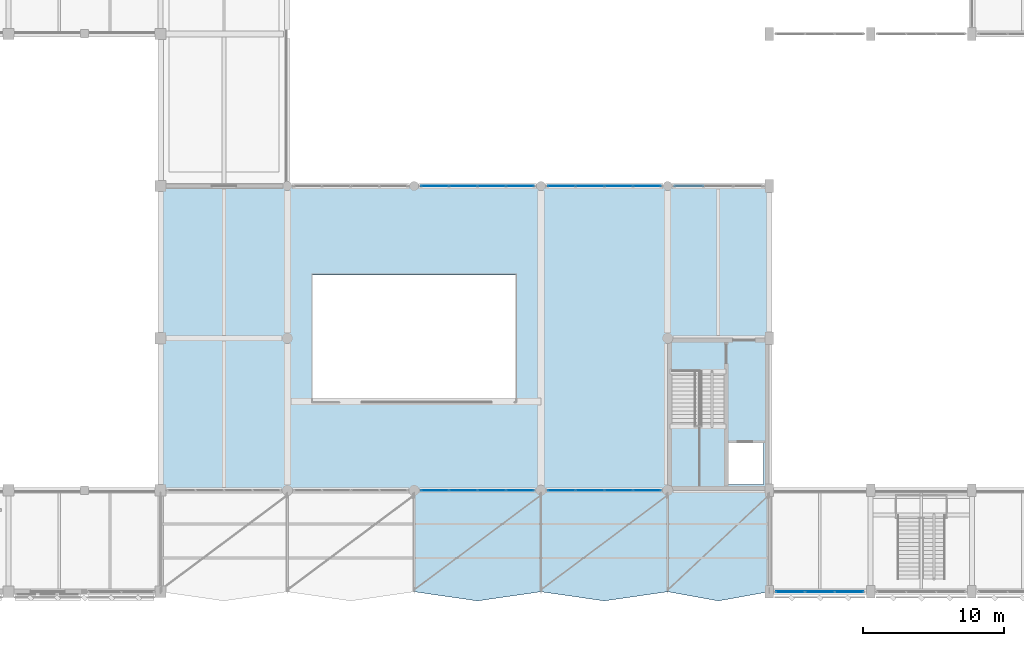
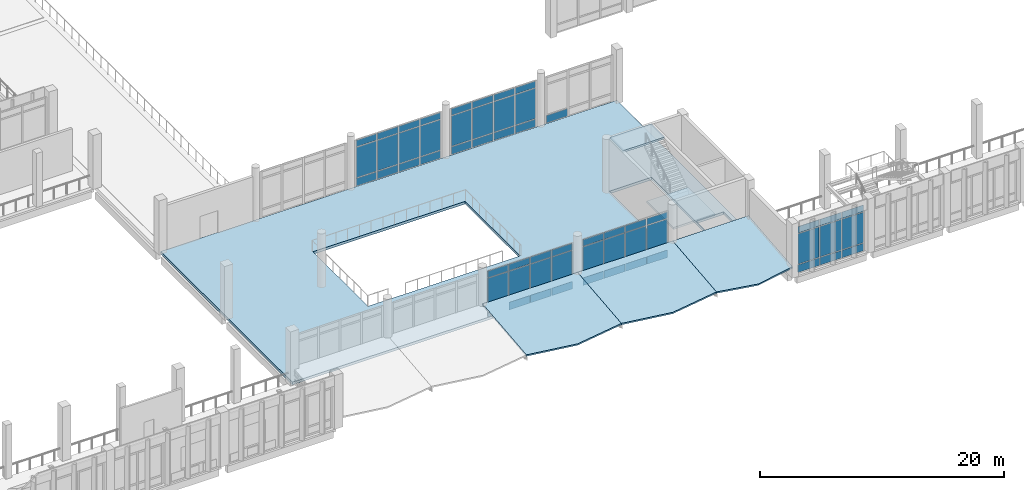
# One storey, part 142 of 180: 58 plates, 6 slabs, 7 elements without a shape of their own.
"""IFC4 building model written with IfcOpenShell, lengths in metres."""

from ifc_helpers import new_model, si_unit, direction, frame, origin, origin_2d, place, context, subcontext, project, spatial, polyline, rectangle, outline, extrude, material, layer, layer_set, type_object, element, aggregate, save


model = new_model("IFC4")

# Units and contexts
model_context = context("Model", 3, precision=1e-05, world=origin(), true_north=direction((0.0, 1.0)))
body_context = subcontext(model_context, "Body", "Model", "MODEL_VIEW")
ifc_project = project(units=[si_unit("LENGTHUNIT", "METRE"), si_unit("AREAUNIT", "SQUARE_METRE"), si_unit("VOLUMEUNIT", "CUBIC_METRE"), si_unit("PLANEANGLEUNIT", "RADIAN"), si_unit("MASSUNIT", "GRAM", prefix="KILO")], contexts=[model_context])

# Site, building, storey
site_placement = place(None, origin())
site = spatial("IfcSite", under=ifc_project, at=site_placement, CompositionType="ELEMENT")
building_placement = place(site_placement, origin())
building = spatial("IfcBuilding", under=site, at=building_placement, Name="Lusvemor Sports Hall", CompositionType="ELEMENT")
storey_placement = place(building_placement, frame((0.0, 0.0, 5.39990234375)))
storey = spatial("IfcBuildingStorey", under=building, at=storey_placement, Name="L01", CompositionType="ELEMENT", Elevation=5.39990234375)

# Curtain wall, plates
ifc_material_1 = material(Name="Thermally broken bronze-anodized aluminium", Category="aluminium")
curtain_wall_type_1 = type_object("IfcCurtainWallType", Name="CW_FOYER_A", PredefinedType="NOTDEFINED", material=ifc_material_1)
curtain_wall_1_placement = place(storey_placement, origin())
curtain_wall_1 = element("IfcCurtainWall", 1, at=curtain_wall_1_placement, inside=storey, type_object=curtain_wall_type_1, Name="Curtain Wall CW-V4S-L01-2", PredefinedType="NOTDEFINED")
ifc_material_2 = material(Name="Solar-control laminated double glazing", Category="glass")
ifc_layer_1 = layer(ifc_material_2, 0.028076171875)
ifc_layer_set_1 = layer_set([ifc_layer_1], Name="Solar-control laminated double glazing")
plate_type_1 = type_object("IfcPlateType", Name="CW_PAN_GLZ_28", PredefinedType="CURTAIN_PANEL", material=ifc_layer_set_1)
plate_1_placement = place(storey_placement, frame((101.12744140625, 7.199951171875, 0.8828125), z_axis=(0.0, 0.0, 1.0), x_axis=(-1.0, 0.0, 0.0)))
plate_1 = element("IfcPlate", 2, at=plate_1_placement, type_object=plate_type_1, Name="CW01 panel 1.2", PredefinedType="CURTAIN_PANEL", context=body_context, shape_type="SweptSolid", body=[
    extrude(rectangle(XDim=1.925048828125, YDim=0.028076171875, at=origin_2d()), origin(), (0.0, 0.0, 1.0), 3.034912109375),
])
plate_2_placement = place(storey_placement, frame((101.12744140625, 7.199951171875, 3.982421875), z_axis=(0.0, 0.0, 1.0), x_axis=(-1.0, 0.0, 0.0)))
plate_2 = element("IfcPlate", 3, at=plate_2_placement, type_object=plate_type_1, Name="CW01 panel 1.3", PredefinedType="CURTAIN_PANEL", context=body_context, shape_type="SweptSolid", body=[
    extrude(rectangle(XDim=1.925048828125, YDim=0.028076171875, at=origin_2d()), origin(), (0.0, 0.0, 1.0), 0.652587890625),
])
plate_3_placement = place(storey_placement, frame((99.114990234375, 7.199951171875, 0.8828125), z_axis=(0.0, 0.0, 1.0), x_axis=(-1.0, 0.0, 0.0)))
plate_3 = element("IfcPlate", 4, at=plate_3_placement, type_object=plate_type_1, Name="CW01 panel 2.2", PredefinedType="CURTAIN_PANEL", context=body_context, shape_type="SweptSolid", body=[
    extrude(rectangle(XDim=1.9599609375, YDim=0.028076171875, at=origin_2d()), origin(), (0.0, 0.0, 1.0), 3.034912109375),
])
plate_4_placement = place(storey_placement, frame((99.114990234375, 7.199951171875, 3.982421875), z_axis=(0.0, 0.0, 1.0), x_axis=(-1.0, 0.0, 0.0)))
plate_4 = element("IfcPlate", 5, at=plate_4_placement, type_object=plate_type_1, Name="CW01 panel 2.3", PredefinedType="CURTAIN_PANEL", context=body_context, shape_type="SweptSolid", body=[
    extrude(rectangle(XDim=1.9599609375, YDim=0.028076171875, at=origin_2d()), origin(), (0.0, 0.0, 1.0), 0.652587890625),
])
plate_5_placement = place(storey_placement, frame((97.0849609375, 7.199951171875, 0.8828125), z_axis=(0.0, 0.0, 1.0), x_axis=(-1.0, 0.0, 0.0)))
plate_5 = element("IfcPlate", 6, at=plate_5_placement, type_object=plate_type_1, Name="CW01 panel 3.2", PredefinedType="CURTAIN_PANEL", context=body_context, shape_type="SweptSolid", body=[
    extrude(rectangle(XDim=1.9599609375, YDim=0.028076171875, at=origin_2d()), origin(), (0.0, 0.0, 1.0), 3.034912109375),
])
plate_6_placement = place(storey_placement, frame((97.0849609375, 7.199951171875, 3.982421875), z_axis=(0.0, 0.0, 1.0), x_axis=(-1.0, 0.0, 0.0)))
plate_6 = element("IfcPlate", 7, at=plate_6_placement, type_object=plate_type_1, Name="CW01 panel 3.3", PredefinedType="CURTAIN_PANEL", context=body_context, shape_type="SweptSolid", body=[
    extrude(rectangle(XDim=1.9599609375, YDim=0.028076171875, at=origin_2d()), origin(), (0.0, 0.0, 1.0), 0.652587890625),
])
plate_7_placement = place(storey_placement, frame((95.072509765625, 7.199951171875, 0.8828125), z_axis=(0.0, 0.0, 1.0), x_axis=(-1.0, 0.0, 0.0)))
plate_7 = element("IfcPlate", 8, at=plate_7_placement, type_object=plate_type_1, Name="CW01 panel 4.2", PredefinedType="CURTAIN_PANEL", context=body_context, shape_type="SweptSolid", body=[
    extrude(rectangle(XDim=1.925048828125, YDim=0.028076171875, at=origin_2d()), origin(), (0.0, 0.0, 1.0), 3.034912109375),
])
plate_8_placement = place(storey_placement, frame((95.072509765625, 7.199951171875, 3.982421875), z_axis=(0.0, 0.0, 1.0), x_axis=(-1.0, 0.0, 0.0)))
plate_8 = element("IfcPlate", 9, at=plate_8_placement, type_object=plate_type_1, Name="CW01 panel 4.3", PredefinedType="CURTAIN_PANEL", context=body_context, shape_type="SweptSolid", body=[
    extrude(rectangle(XDim=1.925048828125, YDim=0.028076171875, at=origin_2d()), origin(), (0.0, 0.0, 1.0), 0.652587890625),
])

curtain_wall_2_placement = place(storey_placement, origin())
curtain_wall_2 = element("IfcCurtainWall", 10, at=curtain_wall_2_placement, inside=storey, type_object=curtain_wall_type_1, Name="Curtain Wall CW-V4N-L01-2", PredefinedType="NOTDEFINED")
plate_9_placement = place(storey_placement, frame((95.072509765625, 28.800048828125, 0.8828125), z_axis=(0.0, 0.0, 1.0), x_axis=(1.0, 0.0, 0.0)))
plate_9 = element("IfcPlate", 11, at=plate_9_placement, type_object=plate_type_1, Name="CW01 panel 1.2", PredefinedType="CURTAIN_PANEL", context=body_context, shape_type="SweptSolid", body=[
    extrude(rectangle(XDim=1.925048828125, YDim=0.028076171875, at=origin_2d()), origin(), (0.0, 0.0, 1.0), 3.034912109375),
])
plate_10_placement = place(storey_placement, frame((95.072509765625, 28.800048828125, 3.982421875), z_axis=(0.0, 0.0, 1.0), x_axis=(1.0, 0.0, 0.0)))
plate_10 = element("IfcPlate", 12, at=plate_10_placement, type_object=plate_type_1, Name="CW01 panel 1.3", PredefinedType="CURTAIN_PANEL", context=body_context, shape_type="SweptSolid", body=[
    extrude(rectangle(XDim=1.925048828125, YDim=0.028076171875, at=origin_2d()), origin(), (0.0, 0.0, 1.0), 0.652587890625),
])
plate_11_placement = place(storey_placement, frame((97.0849609375, 28.800048828125, 0.8828125), z_axis=(0.0, 0.0, 1.0), x_axis=(1.0, 0.0, 0.0)))
plate_11 = element("IfcPlate", 13, at=plate_11_placement, type_object=plate_type_1, Name="CW01 panel 2.2", PredefinedType="CURTAIN_PANEL", context=body_context, shape_type="SweptSolid", body=[
    extrude(rectangle(XDim=1.9599609375, YDim=0.028076171875, at=origin_2d()), origin(), (0.0, 0.0, 1.0), 3.034912109375),
])
plate_12_placement = place(storey_placement, frame((97.0849609375, 28.800048828125, 3.982421875), z_axis=(0.0, 0.0, 1.0), x_axis=(1.0, 0.0, 0.0)))
plate_12 = element("IfcPlate", 14, at=plate_12_placement, type_object=plate_type_1, Name="CW01 panel 2.3", PredefinedType="CURTAIN_PANEL", context=body_context, shape_type="SweptSolid", body=[
    extrude(rectangle(XDim=1.9599609375, YDim=0.028076171875, at=origin_2d()), origin(), (0.0, 0.0, 1.0), 0.652587890625),
])
plate_13_placement = place(storey_placement, frame((99.114990234375, 28.800048828125, 0.8828125), z_axis=(0.0, 0.0, 1.0), x_axis=(1.0, 0.0, 0.0)))
plate_13 = element("IfcPlate", 15, at=plate_13_placement, type_object=plate_type_1, Name="CW01 panel 3.2", PredefinedType="CURTAIN_PANEL", context=body_context, shape_type="SweptSolid", body=[
    extrude(rectangle(XDim=1.9599609375, YDim=0.028076171875, at=origin_2d()), origin(), (0.0, 0.0, 1.0), 3.034912109375),
])
plate_14_placement = place(storey_placement, frame((99.114990234375, 28.800048828125, 3.982421875), z_axis=(0.0, 0.0, 1.0), x_axis=(1.0, 0.0, 0.0)))
plate_14 = element("IfcPlate", 16, at=plate_14_placement, type_object=plate_type_1, Name="CW01 panel 3.3", PredefinedType="CURTAIN_PANEL", context=body_context, shape_type="SweptSolid", body=[
    extrude(rectangle(XDim=1.9599609375, YDim=0.028076171875, at=origin_2d()), origin(), (0.0, 0.0, 1.0), 0.652587890625),
])
plate_15_placement = place(storey_placement, frame((101.12744140625, 28.800048828125, 0.8828125), z_axis=(0.0, 0.0, 1.0), x_axis=(1.0, 0.0, 0.0)))
plate_15 = element("IfcPlate", 17, at=plate_15_placement, type_object=plate_type_1, Name="CW01 panel 4.2", PredefinedType="CURTAIN_PANEL", context=body_context, shape_type="SweptSolid", body=[
    extrude(rectangle(XDim=1.925048828125, YDim=0.028076171875, at=origin_2d()), origin(), (0.0, 0.0, 1.0), 3.034912109375),
])
plate_16_placement = place(storey_placement, frame((101.12744140625, 28.800048828125, 3.982421875), z_axis=(0.0, 0.0, 1.0), x_axis=(1.0, 0.0, 0.0)))
plate_16 = element("IfcPlate", 18, at=plate_16_placement, type_object=plate_type_1, Name="CW01 panel 4.3", PredefinedType="CURTAIN_PANEL", context=body_context, shape_type="SweptSolid", body=[
    extrude(rectangle(XDim=1.925048828125, YDim=0.028076171875, at=origin_2d()), origin(), (0.0, 0.0, 1.0), 0.652587890625),
])

curtain_wall_3_placement = place(storey_placement, origin())
curtain_wall_3 = element("IfcCurtainWall", 19, at=curtain_wall_3_placement, inside=storey, type_object=curtain_wall_type_1, Name="Curtain Wall CW-V4S-L01-3", PredefinedType="NOTDEFINED")
plate_17_placement = place(storey_placement, frame((110.12744140625, 7.199951171875, 0.8828125), z_axis=(0.0, 0.0, 1.0), x_axis=(-1.0, 0.0, 0.0)))
plate_17 = element("IfcPlate", 20, at=plate_17_placement, type_object=plate_type_1, Name="CW01 panel 1.2", PredefinedType="CURTAIN_PANEL", context=body_context, shape_type="SweptSolid", body=[
    extrude(rectangle(XDim=1.925048828125, YDim=0.028076171875, at=origin_2d()), origin(), (0.0, 0.0, 1.0), 3.034912109375),
])
plate_18_placement = place(storey_placement, frame((110.12744140625, 7.199951171875, 3.982421875), z_axis=(0.0, 0.0, 1.0), x_axis=(-1.0, 0.0, 0.0)))
plate_18 = element("IfcPlate", 21, at=plate_18_placement, type_object=plate_type_1, Name="CW01 panel 1.3", PredefinedType="CURTAIN_PANEL", context=body_context, shape_type="SweptSolid", body=[
    extrude(rectangle(XDim=1.925048828125, YDim=0.028076171875, at=origin_2d()), origin(), (0.0, 0.0, 1.0), 0.652587890625),
])
plate_19_placement = place(storey_placement, frame((108.114990234375, 7.199951171875, 0.8828125), z_axis=(0.0, 0.0, 1.0), x_axis=(-1.0, 0.0, 0.0)))
plate_19 = element("IfcPlate", 22, at=plate_19_placement, type_object=plate_type_1, Name="CW01 panel 2.2", PredefinedType="CURTAIN_PANEL", context=body_context, shape_type="SweptSolid", body=[
    extrude(rectangle(XDim=1.9599609375, YDim=0.028076171875, at=origin_2d()), origin(), (0.0, 0.0, 1.0), 3.034912109375),
])
plate_20_placement = place(storey_placement, frame((108.114990234375, 7.199951171875, 3.982421875), z_axis=(0.0, 0.0, 1.0), x_axis=(-1.0, 0.0, 0.0)))
plate_20 = element("IfcPlate", 23, at=plate_20_placement, type_object=plate_type_1, Name="CW01 panel 2.3", PredefinedType="CURTAIN_PANEL", context=body_context, shape_type="SweptSolid", body=[
    extrude(rectangle(XDim=1.9599609375, YDim=0.028076171875, at=origin_2d()), origin(), (0.0, 0.0, 1.0), 0.652587890625),
])
plate_21_placement = place(storey_placement, frame((106.0849609375, 7.199951171875, 0.8828125), z_axis=(0.0, 0.0, 1.0), x_axis=(-1.0, 0.0, 0.0)))
plate_21 = element("IfcPlate", 24, at=plate_21_placement, type_object=plate_type_1, Name="CW01 panel 3.2", PredefinedType="CURTAIN_PANEL", context=body_context, shape_type="SweptSolid", body=[
    extrude(rectangle(XDim=1.9599609375, YDim=0.028076171875, at=origin_2d()), origin(), (0.0, 0.0, 1.0), 3.034912109375),
])
plate_22_placement = place(storey_placement, frame((106.0849609375, 7.199951171875, 3.982421875), z_axis=(0.0, 0.0, 1.0), x_axis=(-1.0, 0.0, 0.0)))
plate_22 = element("IfcPlate", 25, at=plate_22_placement, type_object=plate_type_1, Name="CW01 panel 3.3", PredefinedType="CURTAIN_PANEL", context=body_context, shape_type="SweptSolid", body=[
    extrude(rectangle(XDim=1.9599609375, YDim=0.028076171875, at=origin_2d()), origin(), (0.0, 0.0, 1.0), 0.652587890625),
])
plate_23_placement = place(storey_placement, frame((104.072509765625, 7.199951171875, 0.8828125), z_axis=(0.0, 0.0, 1.0), x_axis=(-1.0, 0.0, 0.0)))
plate_23 = element("IfcPlate", 26, at=plate_23_placement, type_object=plate_type_1, Name="CW01 panel 4.2", PredefinedType="CURTAIN_PANEL", context=body_context, shape_type="SweptSolid", body=[
    extrude(rectangle(XDim=1.925048828125, YDim=0.028076171875, at=origin_2d()), origin(), (0.0, 0.0, 1.0), 3.034912109375),
])
plate_24_placement = place(storey_placement, frame((104.072509765625, 7.199951171875, 3.982421875), z_axis=(0.0, 0.0, 1.0), x_axis=(-1.0, 0.0, 0.0)))
plate_24 = element("IfcPlate", 27, at=plate_24_placement, type_object=plate_type_1, Name="CW01 panel 4.3", PredefinedType="CURTAIN_PANEL", context=body_context, shape_type="SweptSolid", body=[
    extrude(rectangle(XDim=1.925048828125, YDim=0.028076171875, at=origin_2d()), origin(), (0.0, 0.0, 1.0), 0.652587890625),
])

curtain_wall_4_placement = place(storey_placement, origin())
curtain_wall_4 = element("IfcCurtainWall", 28, at=curtain_wall_4_placement, inside=storey, type_object=curtain_wall_type_1, Name="Curtain Wall CW-V4N-L01-3", PredefinedType="NOTDEFINED")
plate_25_placement = place(storey_placement, frame((104.072509765625, 28.800048828125, 0.8828125), z_axis=(0.0, 0.0, 1.0), x_axis=(1.0, 0.0, 0.0)))
plate_25 = element("IfcPlate", 29, at=plate_25_placement, type_object=plate_type_1, Name="CW01 panel 1.2", PredefinedType="CURTAIN_PANEL", context=body_context, shape_type="SweptSolid", body=[
    extrude(rectangle(XDim=1.925048828125, YDim=0.028076171875, at=origin_2d()), origin(), (0.0, 0.0, 1.0), 3.034912109375),
])
plate_26_placement = place(storey_placement, frame((104.072509765625, 28.800048828125, 3.982421875), z_axis=(0.0, 0.0, 1.0), x_axis=(1.0, 0.0, 0.0)))
plate_26 = element("IfcPlate", 30, at=plate_26_placement, type_object=plate_type_1, Name="CW01 panel 1.3", PredefinedType="CURTAIN_PANEL", context=body_context, shape_type="SweptSolid", body=[
    extrude(rectangle(XDim=1.925048828125, YDim=0.028076171875, at=origin_2d()), origin(), (0.0, 0.0, 1.0), 0.652587890625),
])
plate_27_placement = place(storey_placement, frame((106.0849609375, 28.800048828125, 0.8828125), z_axis=(0.0, 0.0, 1.0), x_axis=(1.0, 0.0, 0.0)))
plate_27 = element("IfcPlate", 31, at=plate_27_placement, type_object=plate_type_1, Name="CW01 panel 2.2", PredefinedType="CURTAIN_PANEL", context=body_context, shape_type="SweptSolid", body=[
    extrude(rectangle(XDim=1.9599609375, YDim=0.028076171875, at=origin_2d()), origin(), (0.0, 0.0, 1.0), 3.034912109375),
])
plate_28_placement = place(storey_placement, frame((106.0849609375, 28.800048828125, 3.982421875), z_axis=(0.0, 0.0, 1.0), x_axis=(1.0, 0.0, 0.0)))
plate_28 = element("IfcPlate", 32, at=plate_28_placement, type_object=plate_type_1, Name="CW01 panel 2.3", PredefinedType="CURTAIN_PANEL", context=body_context, shape_type="SweptSolid", body=[
    extrude(rectangle(XDim=1.9599609375, YDim=0.028076171875, at=origin_2d()), origin(), (0.0, 0.0, 1.0), 0.652587890625),
])
plate_29_placement = place(storey_placement, frame((108.114990234375, 28.800048828125, 0.8828125), z_axis=(0.0, 0.0, 1.0), x_axis=(1.0, 0.0, 0.0)))
plate_29 = element("IfcPlate", 33, at=plate_29_placement, type_object=plate_type_1, Name="CW01 panel 3.2", PredefinedType="CURTAIN_PANEL", context=body_context, shape_type="SweptSolid", body=[
    extrude(rectangle(XDim=1.9599609375, YDim=0.028076171875, at=origin_2d()), origin(), (0.0, 0.0, 1.0), 3.034912109375),
])
plate_30_placement = place(storey_placement, frame((108.114990234375, 28.800048828125, 3.982421875), z_axis=(0.0, 0.0, 1.0), x_axis=(1.0, 0.0, 0.0)))
plate_30 = element("IfcPlate", 34, at=plate_30_placement, type_object=plate_type_1, Name="CW01 panel 3.3", PredefinedType="CURTAIN_PANEL", context=body_context, shape_type="SweptSolid", body=[
    extrude(rectangle(XDim=1.9599609375, YDim=0.028076171875, at=origin_2d()), origin(), (0.0, 0.0, 1.0), 0.652587890625),
])
plate_31_placement = place(storey_placement, frame((110.12744140625, 28.800048828125, 0.8828125), z_axis=(0.0, 0.0, 1.0), x_axis=(1.0, 0.0, 0.0)))
plate_31 = element("IfcPlate", 35, at=plate_31_placement, type_object=plate_type_1, Name="CW01 panel 4.2", PredefinedType="CURTAIN_PANEL", context=body_context, shape_type="SweptSolid", body=[
    extrude(rectangle(XDim=1.925048828125, YDim=0.028076171875, at=origin_2d()), origin(), (0.0, 0.0, 1.0), 3.034912109375),
])
plate_32_placement = place(storey_placement, frame((110.12744140625, 28.800048828125, 3.982421875), z_axis=(0.0, 0.0, 1.0), x_axis=(1.0, 0.0, 0.0)))
plate_32 = element("IfcPlate", 36, at=plate_32_placement, type_object=plate_type_1, Name="CW01 panel 4.3", PredefinedType="CURTAIN_PANEL", context=body_context, shape_type="SweptSolid", body=[
    extrude(rectangle(XDim=1.925048828125, YDim=0.028076171875, at=origin_2d()), origin(), (0.0, 0.0, 1.0), 0.652587890625),
])

ifc_material_3 = material(Name="Thermally broken bronze-anodized aluminium", Category="aluminium")
curtain_wall_type_2 = type_object("IfcCurtainWallType", Name="CW_COURT_C", PredefinedType="NOTDEFINED", material=ifc_material_3)
curtain_wall_5_placement = place(storey_placement, origin())
curtain_wall_5 = element("IfcCurtainWall", 37, at=curtain_wall_5_placement, inside=storey, type_object=curtain_wall_type_2, Name="Curtain Wall CW-V2S-L01-0", PredefinedType="NOTDEFINED")
plate_33_placement = place(storey_placement, frame((124.490478515625, 0.0, 0.880126953125), z_axis=(0.0, 0.0, 1.0), x_axis=(-1.0, 0.0, 0.0)))
plate_33 = element("IfcPlate", 38, at=plate_33_placement, type_object=plate_type_1, Name="CW03 panel 1.2", PredefinedType="CURTAIN_PANEL", context=body_context, shape_type="SweptSolid", body=[
    extrude(rectangle(XDim=2.00927734375, YDim=0.028076171875, at=origin_2d()), origin(), (0.0, 0.0, 1.0), 3.0400390625),
])
plate_34_placement = place(storey_placement, frame((124.490478515625, 0.0, 3.97998046875), z_axis=(0.0, 0.0, 1.0), x_axis=(-1.0, 0.0, 0.0)))
plate_34 = element("IfcPlate", 39, at=plate_34_placement, type_object=plate_type_1, Name="CW03 panel 1.3", PredefinedType="CURTAIN_PANEL", context=body_context, shape_type="SweptSolid", body=[
    extrude(rectangle(XDim=2.00927734375, YDim=0.028076171875, at=origin_2d()), origin(), (0.0, 0.0, 1.0), 0.659912109375),
])
plate_35_placement = place(storey_placement, frame((122.39990234375, 0.0, 0.880126953125), z_axis=(0.0, 0.0, 1.0), x_axis=(-1.0, 0.0, 0.0)))
plate_35 = element("IfcPlate", 40, at=plate_35_placement, type_object=plate_type_1, Name="CW03 panel 2.2", PredefinedType="CURTAIN_PANEL", context=body_context, shape_type="SweptSolid", body=[
    extrude(rectangle(XDim=2.041748046875, YDim=0.028076171875, at=origin_2d()), origin(), (0.0, 0.0, 1.0), 3.0400390625),
])
plate_36_placement = place(storey_placement, frame((122.39990234375, 0.0, 3.97998046875), z_axis=(0.0, 0.0, 1.0), x_axis=(-1.0, 0.0, 0.0)))
plate_36 = element("IfcPlate", 41, at=plate_36_placement, type_object=plate_type_1, Name="CW03 panel 2.3", PredefinedType="CURTAIN_PANEL", context=body_context, shape_type="SweptSolid", body=[
    extrude(rectangle(XDim=2.041748046875, YDim=0.028076171875, at=origin_2d()), origin(), (0.0, 0.0, 1.0), 0.659912109375),
])
plate_37_placement = place(storey_placement, frame((120.3095703125, 0.0, 0.880126953125), z_axis=(0.0, 0.0, 1.0), x_axis=(-1.0, 0.0, 0.0)))
plate_37 = element("IfcPlate", 42, at=plate_37_placement, type_object=plate_type_1, Name="CW03 panel 3.2", PredefinedType="CURTAIN_PANEL", context=body_context, shape_type="SweptSolid", body=[
    extrude(rectangle(XDim=2.00927734375, YDim=0.028076171875, at=origin_2d()), origin(), (0.0, 0.0, 1.0), 3.0400390625),
])
plate_38_placement = place(storey_placement, frame((120.3095703125, 0.0, 3.97998046875), z_axis=(0.0, 0.0, 1.0), x_axis=(-1.0, 0.0, 0.0)))
plate_38 = element("IfcPlate", 43, at=plate_38_placement, type_object=plate_type_1, Name="CW03 panel 3.3", PredefinedType="CURTAIN_PANEL", context=body_context, shape_type="SweptSolid", body=[
    extrude(rectangle(XDim=2.00927734375, YDim=0.028076171875, at=origin_2d()), origin(), (0.0, 0.0, 1.0), 0.659912109375),
])

# Plate
ifc_material_4 = material(Name="Emerald polychrome glazed ceramic cladding on Concrete C40/50 backing", Category="concrete")
ifc_layer_2 = layer(ifc_material_4, 0.048095703125)
ifc_layer_set_2 = layer_set([ifc_layer_2], Name="Emerald polychrome glazed ceramic cladding on Concrete C40/50 backing")
plate_type_2 = type_object("IfcPlateType", Name="CW_PAN_SPN_48", PredefinedType="CURTAIN_PANEL", material=ifc_layer_set_2)
plate_39_placement = place(storey_placement, frame((101.12744140625, 7.199951171875, 0.065185546875), z_axis=(0.0, 0.0, 1.0), x_axis=(-1.0, 0.0, 0.0)))
plate_39 = element("IfcPlate", 44, at=plate_39_placement, type_object=plate_type_2, Name="CW01 panel 1.1", PredefinedType="CURTAIN_PANEL", context=body_context, shape_type="SweptSolid", body=[
    extrude(rectangle(XDim=1.925048828125, YDim=0.048095703125, at=origin_2d()), origin(), (0.0, 0.0, 1.0), 0.75244140625),
])

plate_40_placement = place(storey_placement, frame((99.114990234375, 7.199951171875, 0.065185546875), z_axis=(0.0, 0.0, 1.0), x_axis=(-1.0, 0.0, 0.0)))
plate_40 = element("IfcPlate", 45, at=plate_40_placement, type_object=plate_type_2, Name="CW01 panel 2.1", PredefinedType="CURTAIN_PANEL", context=body_context, shape_type="SweptSolid", body=[
    extrude(rectangle(XDim=1.9599609375, YDim=0.048095703125, at=origin_2d()), origin(), (0.0, 0.0, 1.0), 0.75244140625),
])

plate_41_placement = place(storey_placement, frame((97.0849609375, 7.199951171875, 0.065185546875), z_axis=(0.0, 0.0, 1.0), x_axis=(-1.0, 0.0, 0.0)))
plate_41 = element("IfcPlate", 46, at=plate_41_placement, type_object=plate_type_2, Name="CW01 panel 3.1", PredefinedType="CURTAIN_PANEL", context=body_context, shape_type="SweptSolid", body=[
    extrude(rectangle(XDim=1.9599609375, YDim=0.048095703125, at=origin_2d()), origin(), (0.0, 0.0, 1.0), 0.75244140625),
])

plate_42_placement = place(storey_placement, frame((95.072509765625, 7.199951171875, 0.065185546875), z_axis=(0.0, 0.0, 1.0), x_axis=(-1.0, 0.0, 0.0)))
plate_42 = element("IfcPlate", 47, at=plate_42_placement, type_object=plate_type_2, Name="CW01 panel 4.1", PredefinedType="CURTAIN_PANEL", context=body_context, shape_type="SweptSolid", body=[
    extrude(rectangle(XDim=1.925048828125, YDim=0.048095703125, at=origin_2d()), origin(), (0.0, 0.0, 1.0), 0.75244140625),
])

aggregate(curtain_wall_1, [plate_39, plate_1, plate_2, plate_40, plate_3, plate_4, plate_41, plate_5, plate_6, plate_42, plate_7, plate_8])

plate_43_placement = place(storey_placement, frame((95.072509765625, 28.800048828125, 0.065185546875), z_axis=(0.0, 0.0, 1.0), x_axis=(1.0, 0.0, 0.0)))
plate_43 = element("IfcPlate", 48, at=plate_43_placement, type_object=plate_type_2, Name="CW01 panel 1.1", PredefinedType="CURTAIN_PANEL", context=body_context, shape_type="SweptSolid", body=[
    extrude(rectangle(XDim=1.925048828125, YDim=0.048095703125, at=origin_2d()), origin(), (0.0, 0.0, 1.0), 0.75244140625),
])

plate_44_placement = place(storey_placement, frame((97.0849609375, 28.800048828125, 0.065185546875), z_axis=(0.0, 0.0, 1.0), x_axis=(1.0, 0.0, 0.0)))
plate_44 = element("IfcPlate", 49, at=plate_44_placement, type_object=plate_type_2, Name="CW01 panel 2.1", PredefinedType="CURTAIN_PANEL", context=body_context, shape_type="SweptSolid", body=[
    extrude(rectangle(XDim=1.9599609375, YDim=0.048095703125, at=origin_2d()), origin(), (0.0, 0.0, 1.0), 0.75244140625),
])

plate_45_placement = place(storey_placement, frame((99.114990234375, 28.800048828125, 0.065185546875), z_axis=(0.0, 0.0, 1.0), x_axis=(1.0, 0.0, 0.0)))
plate_45 = element("IfcPlate", 50, at=plate_45_placement, type_object=plate_type_2, Name="CW01 panel 3.1", PredefinedType="CURTAIN_PANEL", context=body_context, shape_type="SweptSolid", body=[
    extrude(rectangle(XDim=1.9599609375, YDim=0.048095703125, at=origin_2d()), origin(), (0.0, 0.0, 1.0), 0.75244140625),
])

plate_46_placement = place(storey_placement, frame((101.12744140625, 28.800048828125, 0.065185546875), z_axis=(0.0, 0.0, 1.0), x_axis=(1.0, 0.0, 0.0)))
plate_46 = element("IfcPlate", 51, at=plate_46_placement, type_object=plate_type_2, Name="CW01 panel 4.1", PredefinedType="CURTAIN_PANEL", context=body_context, shape_type="SweptSolid", body=[
    extrude(rectangle(XDim=1.925048828125, YDim=0.048095703125, at=origin_2d()), origin(), (0.0, 0.0, 1.0), 0.75244140625),
])

aggregate(curtain_wall_2, [plate_43, plate_9, plate_10, plate_44, plate_11, plate_12, plate_45, plate_13, plate_14, plate_46, plate_15, plate_16])

plate_47_placement = place(storey_placement, frame((110.12744140625, 7.199951171875, 0.065185546875), z_axis=(0.0, 0.0, 1.0), x_axis=(-1.0, 0.0, 0.0)))
plate_47 = element("IfcPlate", 52, at=plate_47_placement, type_object=plate_type_2, Name="CW01 panel 1.1", PredefinedType="CURTAIN_PANEL", context=body_context, shape_type="SweptSolid", body=[
    extrude(rectangle(XDim=1.925048828125, YDim=0.048095703125, at=origin_2d()), origin(), (0.0, 0.0, 1.0), 0.75244140625),
])

plate_48_placement = place(storey_placement, frame((108.114990234375, 7.199951171875, 0.065185546875), z_axis=(0.0, 0.0, 1.0), x_axis=(-1.0, 0.0, 0.0)))
plate_48 = element("IfcPlate", 53, at=plate_48_placement, type_object=plate_type_2, Name="CW01 panel 2.1", PredefinedType="CURTAIN_PANEL", context=body_context, shape_type="SweptSolid", body=[
    extrude(rectangle(XDim=1.9599609375, YDim=0.048095703125, at=origin_2d()), origin(), (0.0, 0.0, 1.0), 0.75244140625),
])

plate_49_placement = place(storey_placement, frame((106.0849609375, 7.199951171875, 0.065185546875), z_axis=(0.0, 0.0, 1.0), x_axis=(-1.0, 0.0, 0.0)))
plate_49 = element("IfcPlate", 54, at=plate_49_placement, type_object=plate_type_2, Name="CW01 panel 3.1", PredefinedType="CURTAIN_PANEL", context=body_context, shape_type="SweptSolid", body=[
    extrude(rectangle(XDim=1.9599609375, YDim=0.048095703125, at=origin_2d()), origin(), (0.0, 0.0, 1.0), 0.75244140625),
])

plate_50_placement = place(storey_placement, frame((104.072509765625, 7.199951171875, 0.065185546875), z_axis=(0.0, 0.0, 1.0), x_axis=(-1.0, 0.0, 0.0)))
plate_50 = element("IfcPlate", 55, at=plate_50_placement, type_object=plate_type_2, Name="CW01 panel 4.1", PredefinedType="CURTAIN_PANEL", context=body_context, shape_type="SweptSolid", body=[
    extrude(rectangle(XDim=1.925048828125, YDim=0.048095703125, at=origin_2d()), origin(), (0.0, 0.0, 1.0), 0.75244140625),
])

aggregate(curtain_wall_3, [plate_47, plate_17, plate_18, plate_48, plate_19, plate_20, plate_49, plate_21, plate_22, plate_50, plate_23, plate_24])

plate_51_placement = place(storey_placement, frame((104.072509765625, 28.800048828125, 0.065185546875), z_axis=(0.0, 0.0, 1.0), x_axis=(1.0, 0.0, 0.0)))
plate_51 = element("IfcPlate", 56, at=plate_51_placement, type_object=plate_type_2, Name="CW01 panel 1.1", PredefinedType="CURTAIN_PANEL", context=body_context, shape_type="SweptSolid", body=[
    extrude(rectangle(XDim=1.925048828125, YDim=0.048095703125, at=origin_2d()), origin(), (0.0, 0.0, 1.0), 0.75244140625),
])

plate_52_placement = place(storey_placement, frame((106.0849609375, 28.800048828125, 0.065185546875), z_axis=(0.0, 0.0, 1.0), x_axis=(1.0, 0.0, 0.0)))
plate_52 = element("IfcPlate", 57, at=plate_52_placement, type_object=plate_type_2, Name="CW01 panel 2.1", PredefinedType="CURTAIN_PANEL", context=body_context, shape_type="SweptSolid", body=[
    extrude(rectangle(XDim=1.9599609375, YDim=0.048095703125, at=origin_2d()), origin(), (0.0, 0.0, 1.0), 0.75244140625),
])

plate_53_placement = place(storey_placement, frame((108.114990234375, 28.800048828125, 0.065185546875), z_axis=(0.0, 0.0, 1.0), x_axis=(1.0, 0.0, 0.0)))
plate_53 = element("IfcPlate", 58, at=plate_53_placement, type_object=plate_type_2, Name="CW01 panel 3.1", PredefinedType="CURTAIN_PANEL", context=body_context, shape_type="SweptSolid", body=[
    extrude(rectangle(XDim=1.9599609375, YDim=0.048095703125, at=origin_2d()), origin(), (0.0, 0.0, 1.0), 0.75244140625),
])

plate_54_placement = place(storey_placement, frame((110.12744140625, 28.800048828125, 0.065185546875), z_axis=(0.0, 0.0, 1.0), x_axis=(1.0, 0.0, 0.0)))
plate_54 = element("IfcPlate", 59, at=plate_54_placement, type_object=plate_type_2, Name="CW01 panel 4.1", PredefinedType="CURTAIN_PANEL", context=body_context, shape_type="SweptSolid", body=[
    extrude(rectangle(XDim=1.925048828125, YDim=0.048095703125, at=origin_2d()), origin(), (0.0, 0.0, 1.0), 0.75244140625),
])

aggregate(curtain_wall_4, [plate_51, plate_25, plate_26, plate_52, plate_27, plate_28, plate_53, plate_29, plate_30, plate_54, plate_31, plate_32])

# Curtain wall, plate
curtain_wall_6_placement = place(storey_placement, origin())
curtain_wall_6 = element("IfcCurtainWall", 60, at=curtain_wall_6_placement, inside=storey, type_object=curtain_wall_type_1, Name="Curtain Wall CW-V4N-L01-4", PredefinedType="NOTDEFINED")
plate_55_placement = place(storey_placement, frame((113.11083984375, 28.800048828125, 0.065185546875), z_axis=(0.0, 0.0, 1.0), x_axis=(1.0, 0.0, 0.0)))
plate_55 = element("IfcPlate", 61, at=plate_55_placement, type_object=plate_type_2, Name="CW01 panel 1.1", PredefinedType="CURTAIN_PANEL", context=body_context, shape_type="SweptSolid", body=[
    extrude(rectangle(XDim=2.001708984375, YDim=0.048095703125, at=origin_2d()), origin(), (0.0, 0.0, 1.0), 0.75244140625),
])
aggregate(curtain_wall_6, [plate_55])

# Plate
plate_56_placement = place(storey_placement, frame((124.490478515625, 0.0, 0.06005859375), z_axis=(0.0, 0.0, 1.0), x_axis=(-1.0, 0.0, 0.0)))
plate_56 = element("IfcPlate", 62, at=plate_56_placement, type_object=plate_type_2, Name="CW03 panel 1.1", PredefinedType="CURTAIN_PANEL", context=body_context, shape_type="SweptSolid", body=[
    extrude(rectangle(XDim=2.00927734375, YDim=0.048095703125, at=origin_2d()), origin(), (0.0, 0.0, 1.0), 0.760009765625),
])

plate_57_placement = place(storey_placement, frame((122.39990234375, 0.0, 0.06005859375), z_axis=(0.0, 0.0, 1.0), x_axis=(-1.0, 0.0, 0.0)))
plate_57 = element("IfcPlate", 63, at=plate_57_placement, type_object=plate_type_2, Name="CW03 panel 2.1", PredefinedType="CURTAIN_PANEL", context=body_context, shape_type="SweptSolid", body=[
    extrude(rectangle(XDim=2.041748046875, YDim=0.048095703125, at=origin_2d()), origin(), (0.0, 0.0, 1.0), 0.760009765625),
])

plate_58_placement = place(storey_placement, frame((120.3095703125, 0.0, 0.06005859375), z_axis=(0.0, 0.0, 1.0), x_axis=(-1.0, 0.0, 0.0)))
plate_58 = element("IfcPlate", 64, at=plate_58_placement, type_object=plate_type_2, Name="CW03 panel 3.1", PredefinedType="CURTAIN_PANEL", context=body_context, shape_type="SweptSolid", body=[
    extrude(rectangle(XDim=2.00927734375, YDim=0.048095703125, at=origin_2d()), origin(), (0.0, 0.0, 1.0), 0.760009765625),
])

aggregate(curtain_wall_5, [plate_56, plate_33, plate_34, plate_57, plate_35, plate_36, plate_58, plate_37, plate_38])

# Slabs
ifc_material_5 = material(Name="Precast concrete C40/50", Category="concrete")
ifc_layer_3 = layer(ifc_material_5, 0.159912109375)
ifc_layer_set_3 = layer_set([ifc_layer_3], Name="Precast concrete C40/50")
slab_type_1 = type_object("IfcSlabType", Name="ROOF_CANOPY_160", PredefinedType="ROOF", material=ifc_layer_set_3)
for number, where, z_axis, x_axis, name in (
    (65, (102.60009765625, 0.0, 0.800048828125), (0.0, -0.103602093836, 0.994618824552), (-0.989621933471, -0.1429223603, -0.014887166237), "Boulevard Canopy Roof 10-11"),
    (66, (111.60009765625, 0.0, 0.800048828125), (0.0, -0.103602093836, 0.994618824552), (-0.989621933471, -0.1429223603, -0.014887166237), "Boulevard Canopy Roof 11-12"),
):
    element("IfcSlab", number, at=place(storey_placement, frame(where, z_axis=z_axis, x_axis=x_axis)), inside=storey, type_object=slab_type_1, Name=name, PredefinedType="ROOF", context=body_context, shape_type="SweptSolid", body=[
        extrude(outline(polyline([(0.0, 0.0), (4.547191051247911, -2.0122792321330962e-16), (8.906597401242989, -1.2932605043732137), (7.866398011037331, -8.457043171710147), (-1.0401993902056572, -7.163782667336934), (0.0, 0.0)])), origin(), (0.0, 0.0, -1.0), 0.159912109375),
    ])
slab_1_placement = place(storey_placement, frame((118.800048828125, 0.0, 0.800048828125), z_axis=(0.0, -0.103602093836, 0.994618824552), x_axis=(-0.983925266991, -0.177619733063, -0.018501335183)))
element("IfcSlab", 67, at=slab_1_placement, inside=storey, type_object=slab_type_1, Name="Boulevard Canopy Roof 12-13", PredefinedType="ROOF", context=body_context, shape_type="SweptSolid", body=[
    extrude(outline(polyline([(0.0, 0.0), (3.6589137173600874, -2.1684043449710089e-16), (7.084213879108178, -1.2857723719365102), (5.791484472504574, -8.408317391627405), (-1.2927294066036048, -7.122545019690895), (0.0, 0.0)])), origin(), (0.0, 0.0, -1.0), 0.159912109375),
])
ifc_material_6 = material(Name="Concrete C40/50", Category="concrete")
ifc_layer_4 = layer(ifc_material_6, 0.260009765625)
ifc_layer_set_4 = layer_set([ifc_layer_4], Name="Concrete C40/50")
slab_type_2 = type_object("IfcSlabType", Name="SLAB_INT_260", PredefinedType="FLOOR", material=ifc_layer_set_4)
slab_2_placement = place(storey_placement, frame((0.0, 0.0, -0.260009765625)))
element("IfcSlab", 68, at=slab_2_placement, inside=storey, type_object=slab_type_2, Name="Slab L01 V4-MEZZ", PredefinedType="FLOOR", context=body_context, shape_type="SweptSolid", body=[
    extrude(outline(polyline([(75.60009765625, 7.199951171875), (118.800048828125, 7.199951171875), (118.800048828125, 28.800048828125), (75.60009765625, 28.800048828125), (75.60009765625, 7.199951171875)]), holes=[polyline([(111.760009765625, 7.360107421875), (115.739990234375, 7.360107421875), (115.739990234375, 17.840087890625), (111.760009765625, 17.840087890625), (111.760009765625, 7.360107421875)]), polyline([(115.800048828125, 7.60009765625), (118.39990234375, 7.60009765625), (118.39990234375, 10.60009765625), (115.800048828125, 10.60009765625), (115.800048828125, 7.60009765625)]), polyline([(86.39990234375, 13.5), (100.800048828125, 13.5), (100.800048828125, 22.5), (86.39990234375, 22.5), (86.39990234375, 13.5)])]), origin(), (0.0, 0.0, 1.0), 0.260009765625),
])

# Stair, slabs
ifc_material_7 = material(Name="Concrete C40/50", Category="concrete")
stair_type = type_object("IfcStairType", Name="STAIR_CORE_540", PredefinedType="HALF_TURN_STAIR", material=ifc_material_7)
stair_placement = place(storey_placement, origin())
stair = element("IfcStair", 69, at=stair_placement, inside=storey, type_object=stair_type, Name="Escape Stair C7 (L01)", PredefinedType="HALF_TURN_STAIR")
ifc_material_8 = material(Name="Concrete C40/50", Category="concrete")
ifc_layer_5 = layer(ifc_material_8, 0.199951171875)
ifc_layer_set_5 = layer_set([ifc_layer_5], Name="Concrete C40/50")
slab_type_3 = type_object("IfcSlabType", Name="SLAB_LAND_200", PredefinedType="LANDING", material=ifc_layer_set_5)
slab_3_placement = place(storey_placement, frame((0.0, 0.0, 2.5)))
slab_3 = element("IfcSlab", 70, at=slab_3_placement, type_object=slab_type_3, Name="ST01 landing 1", PredefinedType="LANDING", context=body_context, shape_type="SweptSolid", body=[
    extrude(outline(polyline([(111.780029296875, 7.3798828125), (115.719970703125, 7.3798828125), (115.719970703125, 11.77001953125), (111.780029296875, 11.77001953125), (111.780029296875, 7.3798828125)])), origin(), (0.0, 0.0, 1.0), 0.2001953125),
])
slab_4_placement = place(storey_placement, frame((0.0, 0.0, 5.2001953125)))
slab_4 = element("IfcSlab", 71, at=slab_4_placement, type_object=slab_type_3, Name="ST01 landing 2", PredefinedType="LANDING", context=body_context, shape_type="SweptSolid", body=[
    extrude(outline(polyline([(111.780029296875, 15.610107421875), (115.719970703125, 15.610107421875), (115.719970703125, 17.820068359375), (111.780029296875, 17.820068359375), (111.780029296875, 15.610107421875)])), origin(), (0.0, 0.0, 1.0), 0.199951171875),
])
aggregate(stair, [slab_3, slab_4])

save(model, "model.ifc")
